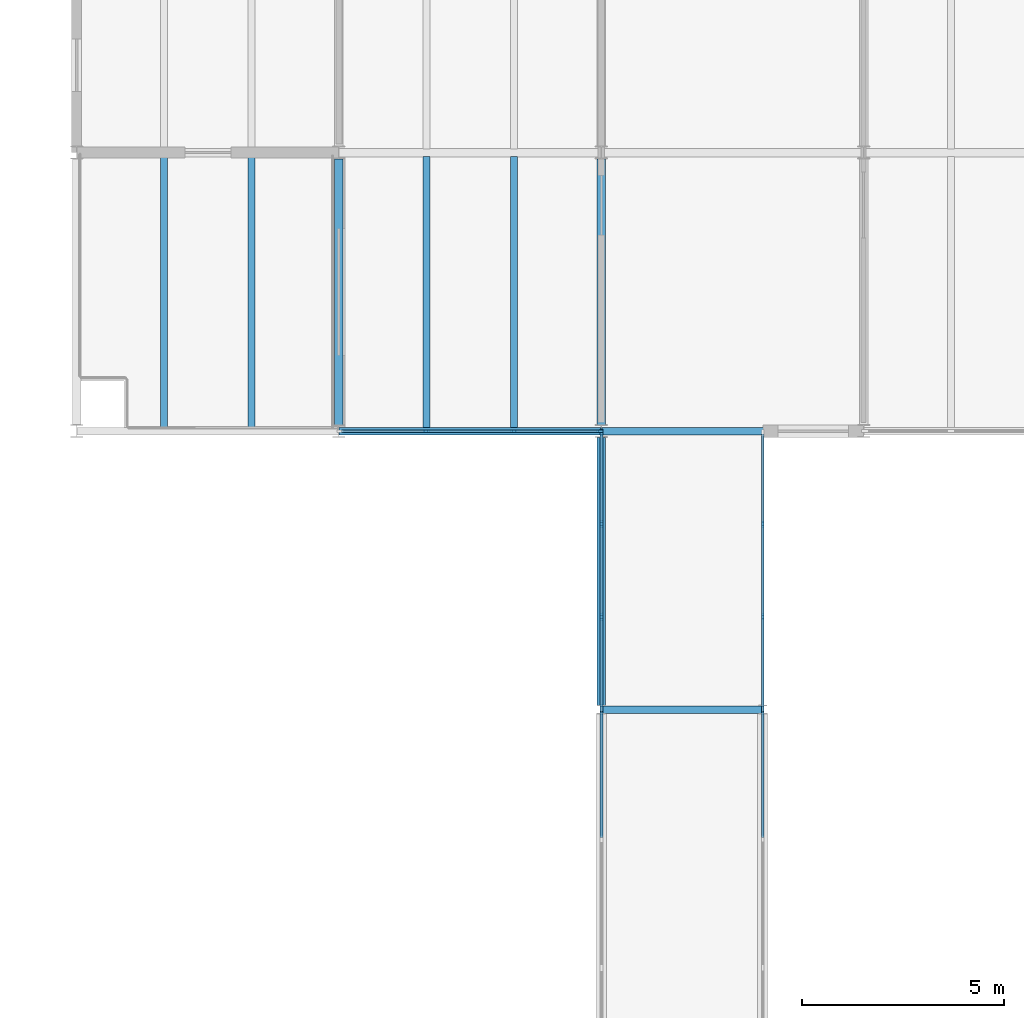
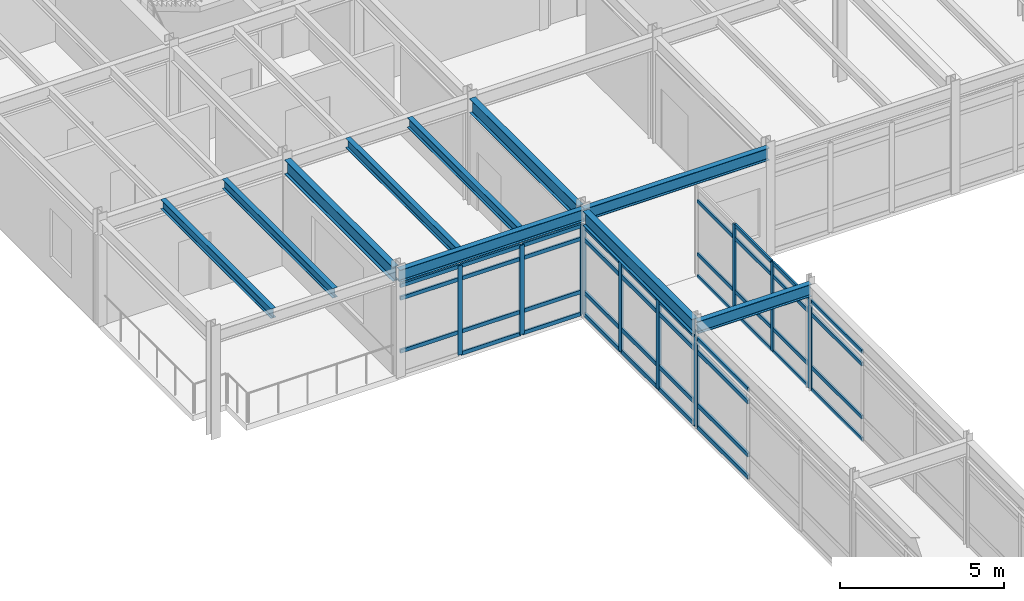
# One storey, part 73 of 144: 54 members, 10 beams, 5 elements without a shape of their own.
"""IFC4 building model written with IfcOpenShell, lengths in metres."""

from ifc_helpers import new_model, si_unit, direction, frame, origin, origin_2d, place, context, subcontext, project, spatial, rectangle, i_section, extrude, material, layer, layer_set, material_profile, profile_set, type_object, element, aggregate, save


model = new_model("IFC4")

# Units and contexts
model_context = context("Model", 3, precision=1e-05, world=origin(), true_north=direction((0.0, 1.0)))
body_context = subcontext(model_context, "Body", "Model", "MODEL_VIEW")
ifc_project = project(units=[si_unit("LENGTHUNIT", "METRE"), si_unit("AREAUNIT", "SQUARE_METRE"), si_unit("VOLUMEUNIT", "CUBIC_METRE"), si_unit("PLANEANGLEUNIT", "RADIAN"), si_unit("MASSUNIT", "GRAM", prefix="KILO")], contexts=[model_context])

# Site, building, storey
site_placement = place(None, origin())
site = spatial("IfcSite", under=ifc_project, at=site_placement, CompositionType="ELEMENT")
building_placement = place(site_placement, origin())
building = spatial("IfcBuilding", under=site, at=building_placement, Name="Trelmorton Wharf Fire Station", CompositionType="ELEMENT")
storey_placement = place(building_placement, frame((0.0, 0.0, 5.39990234375)))
storey = spatial("IfcBuildingStorey", under=building, at=storey_placement, Name="L01", CompositionType="ELEMENT", Elevation=5.39990234375)

# Beams
ifc_material_1 = material(Name="Steel Grade 350", Category="steel")
ifc_material_profile_1 = material_profile(ifc_material_1, i_section(OverallWidth=0.208984375, OverallDepth=0.532958984375, WebThickness=0.01025390625, FlangeThickness=0.015625, FilletRadius=0.013916015625, at=origin_2d()), Name="530UB92.4")
ifc_profile_set_1 = profile_set([ifc_material_profile_1], Name="Steel Grade 350")
beam_type_1 = type_object("IfcBeamType", Name="BM_530UB92", PredefinedType="BEAM", material=ifc_profile_set_1)
beam_1_placement = place(storey_placement, frame((110.5, 60.45654296875, 3.66357421875), z_axis=(0.0, 1.0, 0.0), x_axis=(-1.0, 0.0, 0.0)))
element("IfcBeam", 1, at=beam_1_placement, inside=storey, type_object=beam_type_1, Name="BM-L01-0625", PredefinedType="BEAM", context=body_context, shape_type="SweptSolid", body=[
    extrude(i_section(OverallWidth=0.208984375, OverallDepth=0.532958984375, WebThickness=0.01025390625, FlangeThickness=0.015625, FilletRadius=0.013916015625, at=origin_2d()), origin(), (0.0, 0.0, 1.0), 6.5869140625),
])
beam_2_placement = place(storey_placement, frame((117.0, 53.5009765625, 3.66357421875), z_axis=(0.0, 1.0, 0.0), x_axis=(-1.0, 0.0, 0.0)))
element("IfcBeam", 2, at=beam_2_placement, inside=storey, type_object=beam_type_1, Name="BM-L01-0634", PredefinedType="BEAM", context=body_context, shape_type="SweptSolid", body=[
    extrude(i_section(OverallWidth=0.208984375, OverallDepth=0.532958984375, WebThickness=0.01025390625, FlangeThickness=0.015625, FilletRadius=0.013916015625, at=origin_2d()), origin(), (0.0, 0.0, 1.0), 6.642578125),
])
beam_3_placement = place(storey_placement, frame((117.0, 60.45654296875, 3.66357421875), z_axis=(0.0, 1.0, 0.0), x_axis=(-1.0, 0.0, 0.0)))
element("IfcBeam", 3, at=beam_3_placement, inside=storey, type_object=beam_type_1, Name="BM-L01-0635", PredefinedType="BEAM", context=body_context, shape_type="SweptSolid", body=[
    extrude(i_section(OverallWidth=0.208984375, OverallDepth=0.532958984375, WebThickness=0.01025390625, FlangeThickness=0.015625, FilletRadius=0.013916015625, at=origin_2d()), origin(), (0.0, 0.0, 1.0), 6.5869140625),
])

# Curtain wall, members
ifc_material_2 = material(Name="Anodised aluminium AW-6063", Category="aluminium")
ifc_layer_1 = layer(ifc_material_2, 0.159912109375)
ifc_layer_set_1 = layer_set([ifc_layer_1], Name="Anodised aluminium AW-6063")
curtain_wall_type_1 = type_object("IfcCurtainWallType", Name="CW_CHIC_A", PredefinedType="USERDEFINED", material=ifc_layer_set_1)
curtain_wall_1_placement = place(storey_placement, origin())
curtain_wall_1 = element("IfcCurtainWall", 4, at=curtain_wall_1_placement, inside=storey, type_object=curtain_wall_type_1, Name="CW-V4-L01-123", ObjectType="CHICAGO BAY CURTAIN WALL", PredefinedType="USERDEFINED")
ifc_material_profile_2 = material_profile(ifc_material_2, rectangle(XDim=0.06494140625, YDim=0.159912109375, at=origin_2d()), Name="ALU-65x160")
ifc_profile_set_2 = profile_set([ifc_material_profile_2], Name="Anodised aluminium AW-6063")
member_type_1 = type_object("IfcMemberType", Name="CWM_65x160", PredefinedType="MULLION", material=ifc_profile_set_2)
member_1_placement = place(storey_placement, frame((116.965087890625, 60.300048828125, 0.0), z_axis=(0.0, 0.0, 1.0), x_axis=(0.0, -1.0, 0.0)))
member_1 = element("IfcMember", 5, at=member_1_placement, type_object=member_type_1, Name="CW1 mullion 1", PredefinedType="MULLION", context=body_context, shape_type="SweptSolid", body=[
    extrude(rectangle(XDim=0.06494140625, YDim=0.159912109375, at=origin_2d()), origin(), (0.0, 0.0, 1.0), 3.320068359375),
])
member_2_placement = place(storey_placement, frame((114.831787109375, 60.300048828125, 0.0), z_axis=(0.0, 0.0, 1.0), x_axis=(0.0, -1.0, 0.0)))
member_2 = element("IfcMember", 6, at=member_2_placement, type_object=member_type_1, Name="CW1 mullion 2", PredefinedType="MULLION", context=body_context, shape_type="SweptSolid", body=[
    extrude(rectangle(XDim=0.06494140625, YDim=0.159912109375, at=origin_2d()), origin(), (0.0, 0.0, 1.0), 3.320068359375),
])
member_3_placement = place(storey_placement, frame((112.668212890625, 60.300048828125, 0.0), z_axis=(0.0, 0.0, 1.0), x_axis=(0.0, -1.0, 0.0)))
member_3 = element("IfcMember", 7, at=member_3_placement, type_object=member_type_1, Name="CW1 mullion 3", PredefinedType="MULLION", context=body_context, shape_type="SweptSolid", body=[
    extrude(rectangle(XDim=0.06494140625, YDim=0.159912109375, at=origin_2d()), origin(), (0.0, 0.0, 1.0), 3.320068359375),
])

# Curtain wall, member
ifc_layer_2 = layer(ifc_material_2, 0.139892578125)
ifc_layer_set_2 = layer_set([ifc_layer_2], Name="Anodised aluminium AW-6063")
curtain_wall_type_2 = type_object("IfcCurtainWallType", Name="CW_BRDG_A", PredefinedType="USERDEFINED", material=ifc_layer_set_2)
curtain_wall_2_placement = place(storey_placement, origin())
curtain_wall_2 = element("IfcCurtainWall", 8, at=curtain_wall_2_placement, inside=storey, type_object=curtain_wall_type_2, Name="CW-BR-L01-165", ObjectType="UNITISED CURTAIN WALL", PredefinedType="USERDEFINED")
member_4_placement = place(storey_placement, frame((121.0, 53.364990234375, 0.0), z_axis=(0.0, 0.0, 1.0), x_axis=(1.0, 0.0, 0.0)))
member_4 = element("IfcMember", 9, at=member_4_placement, type_object=member_type_1, Name="CW4 mullion 1", PredefinedType="MULLION", context=body_context, shape_type="SweptSolid", body=[
    extrude(rectangle(XDim=0.06494140625, YDim=0.159912109375, at=origin_2d()), origin(), (0.0, 0.0, 1.0), 3.320068359375),
])

# Curtain wall, members
curtain_wall_3_placement = place(storey_placement, origin())
curtain_wall_3 = element("IfcCurtainWall", 10, at=curtain_wall_3_placement, inside=storey, type_object=curtain_wall_type_2, Name="CW-BR-L01-167", ObjectType="UNITISED CURTAIN WALL", PredefinedType="USERDEFINED")
member_5_placement = place(storey_placement, frame((121.0, 57.998291015625, 0.0), z_axis=(0.0, 0.0, 1.0), x_axis=(1.0, 0.0, 0.0)))
member_5 = element("IfcMember", 11, at=member_5_placement, type_object=member_type_1, Name="CW4 mullion 2", PredefinedType="MULLION", context=body_context, shape_type="SweptSolid", body=[
    extrude(rectangle(XDim=0.06494140625, YDim=0.159912109375, at=origin_2d()), origin(), (0.0, 0.0, 1.0), 3.320068359375),
])
member_6_placement = place(storey_placement, frame((121.0, 55.70166015625, 0.0), z_axis=(0.0, 0.0, 1.0), x_axis=(1.0, 0.0, 0.0)))
member_6 = element("IfcMember", 12, at=member_6_placement, type_object=member_type_1, Name="CW4 mullion 3", PredefinedType="MULLION", context=body_context, shape_type="SweptSolid", body=[
    extrude(rectangle(XDim=0.06494140625, YDim=0.159912109375, at=origin_2d()), origin(), (0.0, 0.0, 1.0), 3.320068359375),
])
member_7_placement = place(storey_placement, frame((121.0, 53.43505859375, 0.0), z_axis=(0.0, 0.0, 1.0), x_axis=(1.0, 0.0, 0.0)))
member_7 = element("IfcMember", 13, at=member_7_placement, type_object=member_type_1, Name="CW4 mullion 4", PredefinedType="MULLION", context=body_context, shape_type="SweptSolid", body=[
    extrude(rectangle(XDim=0.06494140625, YDim=0.159912109375, at=origin_2d()), origin(), (0.0, 0.0, 1.0), 3.320068359375),
])

# Curtain wall, member
curtain_wall_4_placement = place(storey_placement, origin())
curtain_wall_4 = element("IfcCurtainWall", 14, at=curtain_wall_4_placement, inside=storey, type_object=curtain_wall_type_2, Name="CW-BR-L01-164", ObjectType="UNITISED CURTAIN WALL", PredefinedType="USERDEFINED")
ifc_material_profile_3 = material_profile(ifc_material_2, rectangle(XDim=0.074951171875, YDim=0.175048828125, at=origin_2d()), Name="ALU-75x175")
ifc_profile_set_3 = profile_set([ifc_material_profile_3], Name="Anodised aluminium AW-6063")
member_type_2 = type_object("IfcMemberType", Name="CWM_75x175", PredefinedType="MULLION", material=ifc_profile_set_3)
member_8_placement = place(storey_placement, frame((117.0, 53.364990234375, 0.0), z_axis=(0.0, 0.0, 1.0), x_axis=(-1.0, 0.0, 0.0)))
member_8 = element("IfcMember", 15, at=member_8_placement, type_object=member_type_2, Name="CW4 mullion 4", PredefinedType="MULLION", context=body_context, shape_type="SweptSolid", body=[
    extrude(rectangle(XDim=0.074951171875, YDim=0.175048828125, at=origin_2d()), origin(), (0.0, 0.0, 1.0), 3.320068359375),
])

# Curtain wall, members
curtain_wall_5_placement = place(storey_placement, origin())
curtain_wall_5 = element("IfcCurtainWall", 16, at=curtain_wall_5_placement, inside=storey, type_object=curtain_wall_type_2, Name="CW-BR-L01-166", ObjectType="UNITISED CURTAIN WALL", PredefinedType="USERDEFINED")
member_9_placement = place(storey_placement, frame((117.0, 53.43505859375, 0.0), z_axis=(0.0, 0.0, 1.0), x_axis=(-1.0, 0.0, 0.0)))
member_9 = element("IfcMember", 17, at=member_9_placement, type_object=member_type_2, Name="CW4 mullion 1", PredefinedType="MULLION", context=body_context, shape_type="SweptSolid", body=[
    extrude(rectangle(XDim=0.074951171875, YDim=0.175048828125, at=origin_2d()), origin(), (0.0, 0.0, 1.0), 3.320068359375),
])
member_10_placement = place(storey_placement, frame((117.0, 55.70166015625, 0.0), z_axis=(0.0, 0.0, 1.0), x_axis=(-1.0, 0.0, 0.0)))
member_10 = element("IfcMember", 18, at=member_10_placement, type_object=member_type_2, Name="CW4 mullion 2", PredefinedType="MULLION", context=body_context, shape_type="SweptSolid", body=[
    extrude(rectangle(XDim=0.074951171875, YDim=0.175048828125, at=origin_2d()), origin(), (0.0, 0.0, 1.0), 3.320068359375),
])
member_11_placement = place(storey_placement, frame((117.0, 57.998291015625, 0.0), z_axis=(0.0, 0.0, 1.0), x_axis=(-1.0, 0.0, 0.0)))
member_11 = element("IfcMember", 19, at=member_11_placement, type_object=member_type_2, Name="CW4 mullion 3", PredefinedType="MULLION", context=body_context, shape_type="SweptSolid", body=[
    extrude(rectangle(XDim=0.074951171875, YDim=0.175048828125, at=origin_2d()), origin(), (0.0, 0.0, 1.0), 3.320068359375),
])
member_12_placement = place(storey_placement, frame((117.0, 60.264892578125, 0.0), z_axis=(0.0, 0.0, 1.0), x_axis=(-1.0, 0.0, 0.0)))
member_12 = element("IfcMember", 20, at=member_12_placement, type_object=member_type_2, Name="CW4 mullion 4", PredefinedType="MULLION", context=body_context, shape_type="SweptSolid", body=[
    extrude(rectangle(XDim=0.074951171875, YDim=0.175048828125, at=origin_2d()), origin(), (0.0, 0.0, 1.0), 3.320068359375),
])

# Member
ifc_material_profile_4 = material_profile(ifc_material_2, rectangle(XDim=0.06494140625, YDim=0.139892578125, at=origin_2d()), Name="ALU-65x140")
ifc_profile_set_4 = profile_set([ifc_material_profile_4], Name="Anodised aluminium AW-6063")
member_type_3 = type_object("IfcMemberType", Name="CWT_65x140", PredefinedType="USERDEFINED", material=ifc_profile_set_4)
member_13_placement = place(storey_placement, frame((116.93505859375, 60.300048828125, 0.030029296875), z_axis=(-1.0, 0.0, 0.0), x_axis=(0.0, -1.0, 0.0)))
member_13 = element("IfcMember", 21, at=member_13_placement, type_object=member_type_3, Name="CW1 transom 1.1", ObjectType="TRANSOM", PredefinedType="USERDEFINED", context=body_context, shape_type="SweptSolid", body=[
    extrude(rectangle(XDim=0.06494140625, YDim=0.139892578125, at=origin_2d()), origin(), (0.0, 0.0, 1.0), 2.073486328125),
])

member_14_placement = place(storey_placement, frame((116.93505859375, 60.300048828125, 0.85009765625), z_axis=(-1.0, 0.0, 0.0), x_axis=(0.0, -1.0, 0.0)))
member_14 = element("IfcMember", 22, at=member_14_placement, type_object=member_type_3, Name="CW1 transom 1.2", ObjectType="TRANSOM", PredefinedType="USERDEFINED", context=body_context, shape_type="SweptSolid", body=[
    extrude(rectangle(XDim=0.06494140625, YDim=0.139892578125, at=origin_2d()), origin(), (0.0, 0.0, 1.0), 2.073486328125),
])

member_15_placement = place(storey_placement, frame((116.93505859375, 60.300048828125, 2.820068359375), z_axis=(-1.0, 0.0, 0.0), x_axis=(0.0, -1.0, 0.0)))
member_15 = element("IfcMember", 23, at=member_15_placement, type_object=member_type_3, Name="CW1 transom 1.3", ObjectType="TRANSOM", PredefinedType="USERDEFINED", context=body_context, shape_type="SweptSolid", body=[
    extrude(rectangle(XDim=0.06494140625, YDim=0.139892578125, at=origin_2d()), origin(), (0.0, 0.0, 1.0), 2.073486328125),
])

member_16_placement = place(storey_placement, frame((116.93505859375, 60.300048828125, 3.2900390625), z_axis=(-1.0, 0.0, 0.0), x_axis=(0.0, -1.0, 0.0)))
member_16 = element("IfcMember", 24, at=member_16_placement, type_object=member_type_3, Name="CW1 transom 1.4", ObjectType="TRANSOM", PredefinedType="USERDEFINED", context=body_context, shape_type="SweptSolid", body=[
    extrude(rectangle(XDim=0.06494140625, YDim=0.139892578125, at=origin_2d()), origin(), (0.0, 0.0, 1.0), 2.073486328125),
])

member_17_placement = place(storey_placement, frame((114.8017578125, 60.300048828125, 0.030029296875), z_axis=(-1.0, 0.0, 0.0), x_axis=(0.0, -1.0, 0.0)))
member_17 = element("IfcMember", 25, at=member_17_placement, type_object=member_type_3, Name="CW1 transom 2.1", ObjectType="TRANSOM", PredefinedType="USERDEFINED", context=body_context, shape_type="SweptSolid", body=[
    extrude(rectangle(XDim=0.06494140625, YDim=0.139892578125, at=origin_2d()), origin(), (0.0, 0.0, 1.0), 2.103515625),
])

member_18_placement = place(storey_placement, frame((114.8017578125, 60.300048828125, 0.85009765625), z_axis=(-1.0, 0.0, 0.0), x_axis=(0.0, -1.0, 0.0)))
member_18 = element("IfcMember", 26, at=member_18_placement, type_object=member_type_3, Name="CW1 transom 2.2", ObjectType="TRANSOM", PredefinedType="USERDEFINED", context=body_context, shape_type="SweptSolid", body=[
    extrude(rectangle(XDim=0.06494140625, YDim=0.139892578125, at=origin_2d()), origin(), (0.0, 0.0, 1.0), 2.103515625),
])

member_19_placement = place(storey_placement, frame((114.8017578125, 60.300048828125, 2.820068359375), z_axis=(-1.0, 0.0, 0.0), x_axis=(0.0, -1.0, 0.0)))
member_19 = element("IfcMember", 27, at=member_19_placement, type_object=member_type_3, Name="CW1 transom 2.3", ObjectType="TRANSOM", PredefinedType="USERDEFINED", context=body_context, shape_type="SweptSolid", body=[
    extrude(rectangle(XDim=0.06494140625, YDim=0.139892578125, at=origin_2d()), origin(), (0.0, 0.0, 1.0), 2.103515625),
])

member_20_placement = place(storey_placement, frame((114.8017578125, 60.300048828125, 3.2900390625), z_axis=(-1.0, 0.0, 0.0), x_axis=(0.0, -1.0, 0.0)))
member_20 = element("IfcMember", 28, at=member_20_placement, type_object=member_type_3, Name="CW1 transom 2.4", ObjectType="TRANSOM", PredefinedType="USERDEFINED", context=body_context, shape_type="SweptSolid", body=[
    extrude(rectangle(XDim=0.06494140625, YDim=0.139892578125, at=origin_2d()), origin(), (0.0, 0.0, 1.0), 2.103515625),
])

member_21_placement = place(storey_placement, frame((112.638427734375, 60.300048828125, 0.85009765625), z_axis=(-1.0, 0.0, 0.0), x_axis=(0.0, -1.0, 0.0)))
member_21 = element("IfcMember", 29, at=member_21_placement, type_object=member_type_3, Name="CW1 transom 3.2", ObjectType="TRANSOM", PredefinedType="USERDEFINED", context=body_context, shape_type="SweptSolid", body=[
    extrude(rectangle(XDim=0.06494140625, YDim=0.139892578125, at=origin_2d()), origin(), (0.0, 0.0, 1.0), 2.073486328125),
])

member_22_placement = place(storey_placement, frame((112.638427734375, 60.300048828125, 2.820068359375), z_axis=(-1.0, 0.0, 0.0), x_axis=(0.0, -1.0, 0.0)))
member_22 = element("IfcMember", 30, at=member_22_placement, type_object=member_type_3, Name="CW1 transom 3.3", ObjectType="TRANSOM", PredefinedType="USERDEFINED", context=body_context, shape_type="SweptSolid", body=[
    extrude(rectangle(XDim=0.06494140625, YDim=0.139892578125, at=origin_2d()), origin(), (0.0, 0.0, 1.0), 2.073486328125),
])

member_23_placement = place(storey_placement, frame((112.638427734375, 60.300048828125, 3.2900390625), z_axis=(-1.0, 0.0, 0.0), x_axis=(0.0, -1.0, 0.0)))
member_23 = element("IfcMember", 31, at=member_23_placement, type_object=member_type_3, Name="CW1 transom 3.4", ObjectType="TRANSOM", PredefinedType="USERDEFINED", context=body_context, shape_type="SweptSolid", body=[
    extrude(rectangle(XDim=0.06494140625, YDim=0.139892578125, at=origin_2d()), origin(), (0.0, 0.0, 1.0), 2.073486328125),
])

aggregate(curtain_wall_1, [member_1, member_2, member_3, member_13, member_14, member_15, member_16, member_17, member_18, member_19, member_20, member_21, member_22, member_23])

member_24_placement = place(storey_placement, frame((121.0, 53.3349609375, 0.030029296875), z_axis=(0.0, -1.0, 0.0), x_axis=(1.0, 0.0, 0.0)))
member_24 = element("IfcMember", 32, at=member_24_placement, type_object=member_type_3, Name="CW4 transom 1.1", ObjectType="TRANSOM", PredefinedType="USERDEFINED", context=body_context, shape_type="SweptSolid", body=[
    extrude(rectangle(XDim=0.06494140625, YDim=0.139892578125, at=origin_2d()), origin(), (0.0, 0.0, 1.0), 3.106689453125),
])

member_25_placement = place(storey_placement, frame((121.0, 53.3349609375, 0.85009765625), z_axis=(0.0, -1.0, 0.0), x_axis=(1.0, 0.0, 0.0)))
member_25 = element("IfcMember", 33, at=member_25_placement, type_object=member_type_3, Name="CW4 transom 1.2", ObjectType="TRANSOM", PredefinedType="USERDEFINED", context=body_context, shape_type="SweptSolid", body=[
    extrude(rectangle(XDim=0.06494140625, YDim=0.139892578125, at=origin_2d()), origin(), (0.0, 0.0, 1.0), 3.106689453125),
])

member_26_placement = place(storey_placement, frame((121.0, 53.3349609375, 2.820068359375), z_axis=(0.0, -1.0, 0.0), x_axis=(1.0, 0.0, 0.0)))
member_26 = element("IfcMember", 34, at=member_26_placement, type_object=member_type_3, Name="CW4 transom 1.3", ObjectType="TRANSOM", PredefinedType="USERDEFINED", context=body_context, shape_type="SweptSolid", body=[
    extrude(rectangle(XDim=0.06494140625, YDim=0.139892578125, at=origin_2d()), origin(), (0.0, 0.0, 1.0), 3.106689453125),
])

member_27_placement = place(storey_placement, frame((121.0, 53.3349609375, 3.2900390625), z_axis=(0.0, -1.0, 0.0), x_axis=(1.0, 0.0, 0.0)))
member_27 = element("IfcMember", 35, at=member_27_placement, type_object=member_type_3, Name="CW4 transom 1.4", ObjectType="TRANSOM", PredefinedType="USERDEFINED", context=body_context, shape_type="SweptSolid", body=[
    extrude(rectangle(XDim=0.06494140625, YDim=0.139892578125, at=origin_2d()), origin(), (0.0, 0.0, 1.0), 3.106689453125),
])

aggregate(curtain_wall_2, [member_4, member_24, member_25, member_26, member_27])

member_28_placement = place(storey_placement, frame((121.0, 60.235107421875, 0.030029296875), z_axis=(0.0, -1.0, 0.0), x_axis=(1.0, 0.0, 0.0)))
member_28 = element("IfcMember", 36, at=member_28_placement, type_object=member_type_3, Name="CW4 transom 1.1", ObjectType="TRANSOM", PredefinedType="USERDEFINED", context=body_context, shape_type="SweptSolid", body=[
    extrude(rectangle(XDim=0.06494140625, YDim=0.139892578125, at=origin_2d()), origin(), (0.0, 0.0, 1.0), 2.206787109375),
])

member_29_placement = place(storey_placement, frame((121.0, 60.235107421875, 0.85009765625), z_axis=(0.0, -1.0, 0.0), x_axis=(1.0, 0.0, 0.0)))
member_29 = element("IfcMember", 37, at=member_29_placement, type_object=member_type_3, Name="CW4 transom 1.2", ObjectType="TRANSOM", PredefinedType="USERDEFINED", context=body_context, shape_type="SweptSolid", body=[
    extrude(rectangle(XDim=0.06494140625, YDim=0.139892578125, at=origin_2d()), origin(), (0.0, 0.0, 1.0), 2.206787109375),
])

member_30_placement = place(storey_placement, frame((121.0, 60.235107421875, 2.820068359375), z_axis=(0.0, -1.0, 0.0), x_axis=(1.0, 0.0, 0.0)))
member_30 = element("IfcMember", 38, at=member_30_placement, type_object=member_type_3, Name="CW4 transom 1.3", ObjectType="TRANSOM", PredefinedType="USERDEFINED", context=body_context, shape_type="SweptSolid", body=[
    extrude(rectangle(XDim=0.06494140625, YDim=0.139892578125, at=origin_2d()), origin(), (0.0, 0.0, 1.0), 2.206787109375),
])

member_31_placement = place(storey_placement, frame((121.0, 57.96826171875, 0.030029296875), z_axis=(0.0, -1.0, 0.0), x_axis=(1.0, 0.0, 0.0)))
member_31 = element("IfcMember", 39, at=member_31_placement, type_object=member_type_3, Name="CW4 transom 2.1", ObjectType="TRANSOM", PredefinedType="USERDEFINED", context=body_context, shape_type="SweptSolid", body=[
    extrude(rectangle(XDim=0.06494140625, YDim=0.139892578125, at=origin_2d()), origin(), (0.0, 0.0, 1.0), 2.236572265625),
])

member_32_placement = place(storey_placement, frame((121.0, 57.96826171875, 0.85009765625), z_axis=(0.0, -1.0, 0.0), x_axis=(1.0, 0.0, 0.0)))
member_32 = element("IfcMember", 40, at=member_32_placement, type_object=member_type_3, Name="CW4 transom 2.2", ObjectType="TRANSOM", PredefinedType="USERDEFINED", context=body_context, shape_type="SweptSolid", body=[
    extrude(rectangle(XDim=0.06494140625, YDim=0.139892578125, at=origin_2d()), origin(), (0.0, 0.0, 1.0), 2.236572265625),
])

member_33_placement = place(storey_placement, frame((121.0, 57.96826171875, 2.820068359375), z_axis=(0.0, -1.0, 0.0), x_axis=(1.0, 0.0, 0.0)))
member_33 = element("IfcMember", 41, at=member_33_placement, type_object=member_type_3, Name="CW4 transom 2.3", ObjectType="TRANSOM", PredefinedType="USERDEFINED", context=body_context, shape_type="SweptSolid", body=[
    extrude(rectangle(XDim=0.06494140625, YDim=0.139892578125, at=origin_2d()), origin(), (0.0, 0.0, 1.0), 2.236572265625),
])

member_34_placement = place(storey_placement, frame((121.0, 57.96826171875, 3.2900390625), z_axis=(0.0, -1.0, 0.0), x_axis=(1.0, 0.0, 0.0)))
member_34 = element("IfcMember", 42, at=member_34_placement, type_object=member_type_3, Name="CW4 transom 2.4", ObjectType="TRANSOM", PredefinedType="USERDEFINED", context=body_context, shape_type="SweptSolid", body=[
    extrude(rectangle(XDim=0.06494140625, YDim=0.139892578125, at=origin_2d()), origin(), (0.0, 0.0, 1.0), 2.236572265625),
])

member_35_placement = place(storey_placement, frame((121.0, 55.671630859375, 0.030029296875), z_axis=(0.0, -1.0, 0.0), x_axis=(1.0, 0.0, 0.0)))
member_35 = element("IfcMember", 43, at=member_35_placement, type_object=member_type_3, Name="CW4 transom 3.1", ObjectType="TRANSOM", PredefinedType="USERDEFINED", context=body_context, shape_type="SweptSolid", body=[
    extrude(rectangle(XDim=0.06494140625, YDim=0.139892578125, at=origin_2d()), origin(), (0.0, 0.0, 1.0), 2.20654296875),
])

member_36_placement = place(storey_placement, frame((121.0, 55.671630859375, 0.85009765625), z_axis=(0.0, -1.0, 0.0), x_axis=(1.0, 0.0, 0.0)))
member_36 = element("IfcMember", 44, at=member_36_placement, type_object=member_type_3, Name="CW4 transom 3.2", ObjectType="TRANSOM", PredefinedType="USERDEFINED", context=body_context, shape_type="SweptSolid", body=[
    extrude(rectangle(XDim=0.06494140625, YDim=0.139892578125, at=origin_2d()), origin(), (0.0, 0.0, 1.0), 2.20654296875),
])

member_37_placement = place(storey_placement, frame((121.0, 55.671630859375, 2.820068359375), z_axis=(0.0, -1.0, 0.0), x_axis=(1.0, 0.0, 0.0)))
member_37 = element("IfcMember", 45, at=member_37_placement, type_object=member_type_3, Name="CW4 transom 3.3", ObjectType="TRANSOM", PredefinedType="USERDEFINED", context=body_context, shape_type="SweptSolid", body=[
    extrude(rectangle(XDim=0.06494140625, YDim=0.139892578125, at=origin_2d()), origin(), (0.0, 0.0, 1.0), 2.20654296875),
])

member_38_placement = place(storey_placement, frame((121.0, 55.671630859375, 3.2900390625), z_axis=(0.0, -1.0, 0.0), x_axis=(1.0, 0.0, 0.0)))
member_38 = element("IfcMember", 46, at=member_38_placement, type_object=member_type_3, Name="CW4 transom 3.4", ObjectType="TRANSOM", PredefinedType="USERDEFINED", context=body_context, shape_type="SweptSolid", body=[
    extrude(rectangle(XDim=0.06494140625, YDim=0.139892578125, at=origin_2d()), origin(), (0.0, 0.0, 1.0), 2.20654296875),
])

aggregate(curtain_wall_3, [member_5, member_6, member_7, member_28, member_29, member_30, member_31, member_32, member_33, member_34, member_35, member_36, member_37, member_38])

ifc_material_profile_5 = material_profile(ifc_material_2, rectangle(XDim=0.074951171875, YDim=0.155029296875, at=origin_2d()), Name="ALU-75x155")
ifc_profile_set_5 = profile_set([ifc_material_profile_5], Name="Anodised aluminium AW-6063")
member_type_4 = type_object("IfcMemberType", Name="CWT_75x155", PredefinedType="USERDEFINED", material=ifc_profile_set_5)
member_39_placement = place(storey_placement, frame((117.0, 50.228271484375, 0.030029296875), z_axis=(0.0, 1.0, 0.0), x_axis=(-1.0, 0.0, 0.0)))
member_39 = element("IfcMember", 47, at=member_39_placement, type_object=member_type_4, Name="CW4 transom 3.1", ObjectType="TRANSOM", PredefinedType="USERDEFINED", context=body_context, shape_type="SweptSolid", body=[
    extrude(rectangle(XDim=0.074951171875, YDim=0.155029296875, at=origin_2d()), origin(), (0.0, 0.0, 1.0), 3.106689453125),
])

member_40_placement = place(storey_placement, frame((117.0, 50.228271484375, 0.85009765625), z_axis=(0.0, 1.0, 0.0), x_axis=(-1.0, 0.0, 0.0)))
member_40 = element("IfcMember", 48, at=member_40_placement, type_object=member_type_4, Name="CW4 transom 3.2", ObjectType="TRANSOM", PredefinedType="USERDEFINED", context=body_context, shape_type="SweptSolid", body=[
    extrude(rectangle(XDim=0.074951171875, YDim=0.155029296875, at=origin_2d()), origin(), (0.0, 0.0, 1.0), 3.106689453125),
])

member_41_placement = place(storey_placement, frame((117.0, 50.228271484375, 2.820068359375), z_axis=(0.0, 1.0, 0.0), x_axis=(-1.0, 0.0, 0.0)))
member_41 = element("IfcMember", 49, at=member_41_placement, type_object=member_type_4, Name="CW4 transom 3.3", ObjectType="TRANSOM", PredefinedType="USERDEFINED", context=body_context, shape_type="SweptSolid", body=[
    extrude(rectangle(XDim=0.074951171875, YDim=0.155029296875, at=origin_2d()), origin(), (0.0, 0.0, 1.0), 3.106689453125),
])

member_42_placement = place(storey_placement, frame((117.0, 50.228271484375, 3.2900390625), z_axis=(0.0, 1.0, 0.0), x_axis=(-1.0, 0.0, 0.0)))
member_42 = element("IfcMember", 50, at=member_42_placement, type_object=member_type_4, Name="CW4 transom 3.4", ObjectType="TRANSOM", PredefinedType="USERDEFINED", context=body_context, shape_type="SweptSolid", body=[
    extrude(rectangle(XDim=0.074951171875, YDim=0.155029296875, at=origin_2d()), origin(), (0.0, 0.0, 1.0), 3.106689453125),
])

aggregate(curtain_wall_4, [member_8, member_39, member_40, member_41, member_42])

member_43_placement = place(storey_placement, frame((117.0, 53.465087890625, 0.030029296875), z_axis=(0.0, 1.0, 0.0), x_axis=(-1.0, 0.0, 0.0)))
member_43 = element("IfcMember", 51, at=member_43_placement, type_object=member_type_4, Name="CW4 transom 1.1", ObjectType="TRANSOM", PredefinedType="USERDEFINED", context=body_context, shape_type="SweptSolid", body=[
    extrude(rectangle(XDim=0.074951171875, YDim=0.155029296875, at=origin_2d()), origin(), (0.0, 0.0, 1.0), 2.20654296875),
])

member_44_placement = place(storey_placement, frame((117.0, 53.465087890625, 0.85009765625), z_axis=(0.0, 1.0, 0.0), x_axis=(-1.0, 0.0, 0.0)))
member_44 = element("IfcMember", 52, at=member_44_placement, type_object=member_type_4, Name="CW4 transom 1.2", ObjectType="TRANSOM", PredefinedType="USERDEFINED", context=body_context, shape_type="SweptSolid", body=[
    extrude(rectangle(XDim=0.074951171875, YDim=0.155029296875, at=origin_2d()), origin(), (0.0, 0.0, 1.0), 2.20654296875),
])

member_45_placement = place(storey_placement, frame((117.0, 53.465087890625, 2.820068359375), z_axis=(0.0, 1.0, 0.0), x_axis=(-1.0, 0.0, 0.0)))
member_45 = element("IfcMember", 53, at=member_45_placement, type_object=member_type_4, Name="CW4 transom 1.3", ObjectType="TRANSOM", PredefinedType="USERDEFINED", context=body_context, shape_type="SweptSolid", body=[
    extrude(rectangle(XDim=0.074951171875, YDim=0.155029296875, at=origin_2d()), origin(), (0.0, 0.0, 1.0), 2.20654296875),
])

member_46_placement = place(storey_placement, frame((117.0, 53.465087890625, 3.2900390625), z_axis=(0.0, 1.0, 0.0), x_axis=(-1.0, 0.0, 0.0)))
member_46 = element("IfcMember", 54, at=member_46_placement, type_object=member_type_4, Name="CW4 transom 1.4", ObjectType="TRANSOM", PredefinedType="USERDEFINED", context=body_context, shape_type="SweptSolid", body=[
    extrude(rectangle(XDim=0.074951171875, YDim=0.155029296875, at=origin_2d()), origin(), (0.0, 0.0, 1.0), 2.20654296875),
])

member_47_placement = place(storey_placement, frame((117.0, 55.731689453125, 0.030029296875), z_axis=(0.0, 1.0, 0.0), x_axis=(-1.0, 0.0, 0.0)))
member_47 = element("IfcMember", 55, at=member_47_placement, type_object=member_type_4, Name="CW4 transom 2.1", ObjectType="TRANSOM", PredefinedType="USERDEFINED", context=body_context, shape_type="SweptSolid", body=[
    extrude(rectangle(XDim=0.074951171875, YDim=0.155029296875, at=origin_2d()), origin(), (0.0, 0.0, 1.0), 2.236572265625),
])

member_48_placement = place(storey_placement, frame((117.0, 55.731689453125, 0.85009765625), z_axis=(0.0, 1.0, 0.0), x_axis=(-1.0, 0.0, 0.0)))
member_48 = element("IfcMember", 56, at=member_48_placement, type_object=member_type_4, Name="CW4 transom 2.2", ObjectType="TRANSOM", PredefinedType="USERDEFINED", context=body_context, shape_type="SweptSolid", body=[
    extrude(rectangle(XDim=0.074951171875, YDim=0.155029296875, at=origin_2d()), origin(), (0.0, 0.0, 1.0), 2.236572265625),
])

member_49_placement = place(storey_placement, frame((117.0, 55.731689453125, 2.820068359375), z_axis=(0.0, 1.0, 0.0), x_axis=(-1.0, 0.0, 0.0)))
member_49 = element("IfcMember", 57, at=member_49_placement, type_object=member_type_4, Name="CW4 transom 2.3", ObjectType="TRANSOM", PredefinedType="USERDEFINED", context=body_context, shape_type="SweptSolid", body=[
    extrude(rectangle(XDim=0.074951171875, YDim=0.155029296875, at=origin_2d()), origin(), (0.0, 0.0, 1.0), 2.236572265625),
])

member_50_placement = place(storey_placement, frame((117.0, 55.731689453125, 3.2900390625), z_axis=(0.0, 1.0, 0.0), x_axis=(-1.0, 0.0, 0.0)))
member_50 = element("IfcMember", 58, at=member_50_placement, type_object=member_type_4, Name="CW4 transom 2.4", ObjectType="TRANSOM", PredefinedType="USERDEFINED", context=body_context, shape_type="SweptSolid", body=[
    extrude(rectangle(XDim=0.074951171875, YDim=0.155029296875, at=origin_2d()), origin(), (0.0, 0.0, 1.0), 2.236572265625),
])

member_51_placement = place(storey_placement, frame((117.0, 58.0283203125, 0.030029296875), z_axis=(0.0, 1.0, 0.0), x_axis=(-1.0, 0.0, 0.0)))
member_51 = element("IfcMember", 59, at=member_51_placement, type_object=member_type_4, Name="CW4 transom 3.1", ObjectType="TRANSOM", PredefinedType="USERDEFINED", context=body_context, shape_type="SweptSolid", body=[
    extrude(rectangle(XDim=0.074951171875, YDim=0.155029296875, at=origin_2d()), origin(), (0.0, 0.0, 1.0), 2.206787109375),
])

member_52_placement = place(storey_placement, frame((117.0, 58.0283203125, 0.85009765625), z_axis=(0.0, 1.0, 0.0), x_axis=(-1.0, 0.0, 0.0)))
member_52 = element("IfcMember", 60, at=member_52_placement, type_object=member_type_4, Name="CW4 transom 3.2", ObjectType="TRANSOM", PredefinedType="USERDEFINED", context=body_context, shape_type="SweptSolid", body=[
    extrude(rectangle(XDim=0.074951171875, YDim=0.155029296875, at=origin_2d()), origin(), (0.0, 0.0, 1.0), 2.206787109375),
])

member_53_placement = place(storey_placement, frame((117.0, 58.0283203125, 2.820068359375), z_axis=(0.0, 1.0, 0.0), x_axis=(-1.0, 0.0, 0.0)))
member_53 = element("IfcMember", 61, at=member_53_placement, type_object=member_type_4, Name="CW4 transom 3.3", ObjectType="TRANSOM", PredefinedType="USERDEFINED", context=body_context, shape_type="SweptSolid", body=[
    extrude(rectangle(XDim=0.074951171875, YDim=0.155029296875, at=origin_2d()), origin(), (0.0, 0.0, 1.0), 2.206787109375),
])

member_54_placement = place(storey_placement, frame((117.0, 58.0283203125, 3.2900390625), z_axis=(0.0, 1.0, 0.0), x_axis=(-1.0, 0.0, 0.0)))
member_54 = element("IfcMember", 62, at=member_54_placement, type_object=member_type_4, Name="CW4 transom 3.4", ObjectType="TRANSOM", PredefinedType="USERDEFINED", context=body_context, shape_type="SweptSolid", body=[
    extrude(rectangle(XDim=0.074951171875, YDim=0.155029296875, at=origin_2d()), origin(), (0.0, 0.0, 1.0), 2.206787109375),
])

aggregate(curtain_wall_5, [member_9, member_10, member_11, member_12, member_43, member_44, member_45, member_46, member_47, member_48, member_49, member_50, member_51, member_52, member_53, member_54])

# Beams
ifc_material_profile_6 = material_profile(ifc_material_1, i_section(OverallWidth=0.172119140625, OverallDepth=0.35888671875, WebThickness=0.008056640625, FlangeThickness=0.012939453125, FilletRadius=0.011474609375, at=origin_2d()), Name="360UB56.7")
ifc_profile_set_6 = profile_set([ifc_material_profile_6], Name="Steel Grade 350")
beam_type_2 = type_object("IfcBeamType", Name="JS_360UB57", PredefinedType="JOIST", material=ifc_profile_set_6)
for number, where, z_axis, x_axis, name in (
    (63, (106.166748046875, 60.389892578125, 3.75048828125), (0.0, 1.0, 0.0), (-1.0, 0.0, 0.0), "JS-L01-0159"),
    (64, (108.333251953125, 60.389892578125, 3.75048828125), (0.0, 1.0, 0.0), (-1.0, 0.0, 0.0), "JS-L01-0160"),
    (65, (112.666748046875, 60.389892578125, 3.75048828125), (0.0, 1.0, 0.0), (-1.0, 0.0, 0.0), "JS-L01-0167"),
    (66, (114.833251953125, 60.389892578125, 3.75048828125), (0.0, 1.0, 0.0), (-1.0, 0.0, 0.0), "JS-L01-0168"),
):
    element("IfcBeam", number, at=place(storey_placement, frame(where, z_axis=z_axis, x_axis=x_axis)), inside=storey, type_object=beam_type_2, Name=name, PredefinedType="JOIST", context=body_context, shape_type="SweptSolid", body=[
        extrude(i_section(OverallWidth=0.172119140625, OverallDepth=0.35888671875, WebThickness=0.008056640625, FlangeThickness=0.012939453125, FilletRadius=0.011474609375, at=origin_2d()), origin(), (0.0, 0.0, 1.0), 6.72021484375),
    ])
ifc_material_profile_7 = material_profile(ifc_material_1, i_section(OverallWidth=0.18994140625, OverallDepth=0.45703125, WebThickness=0.009033203125, FlangeThickness=0.014404296875, FilletRadius=0.011474609375, at=origin_2d()), Name="460UB74.6")
ifc_profile_set_7 = profile_set([ifc_material_profile_7], Name="Steel Grade 350")
beam_type_3 = type_object("IfcBeamType", Name="SP_460UB75", PredefinedType="SPANDREL", material=ifc_profile_set_7)
beam_4_placement = place(storey_placement, frame((117.00390625, 53.39990234375, 3.70166015625), z_axis=(1.0, 0.0, 0.0), x_axis=(0.0, 1.0, 0.0)))
element("IfcBeam", 67, at=beam_4_placement, inside=storey, type_object=beam_type_3, Name="BM-L01-0483", PredefinedType="SPANDREL", context=body_context, shape_type="SweptSolid", body=[
    extrude(i_section(OverallWidth=0.18994140625, OverallDepth=0.45703125, WebThickness=0.009033203125, FlangeThickness=0.014404296875, FilletRadius=0.011474609375, at=origin_2d()), origin(), (0.0, 0.0, 1.0), 3.9921875),
])
for number, where, z_axis, x_axis, name in (
    (68, (110.5048828125, 60.300048828125, 3.70166015625), (1.0, 0.0, 0.0), (0.0, 1.0, 0.0), "BM-L01-0498"),
    (69, (117.0048828125, 60.300048828125, 3.70166015625), (1.0, 0.0, 0.0), (0.0, 1.0, 0.0), "BM-L01-0499"),
):
    element("IfcBeam", number, at=place(storey_placement, frame(where, z_axis=z_axis, x_axis=x_axis)), inside=storey, type_object=beam_type_3, Name=name, PredefinedType="SPANDREL", context=body_context, shape_type="SweptSolid", body=[
        extrude(i_section(OverallWidth=0.18994140625, OverallDepth=0.45703125, WebThickness=0.009033203125, FlangeThickness=0.014404296875, FilletRadius=0.011474609375, at=origin_2d()), origin(), (0.0, 0.0, 1.0), 6.490234375),
    ])

save(model, "model.ifc")
